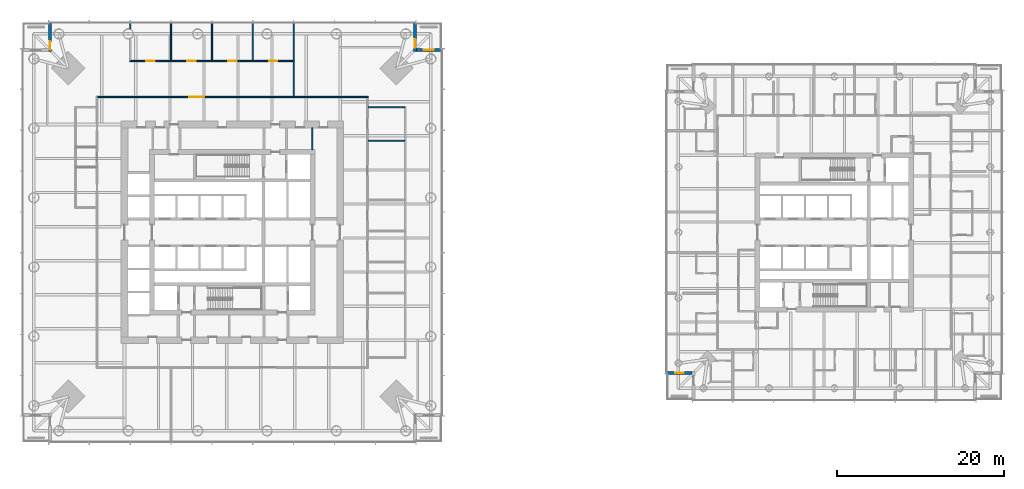
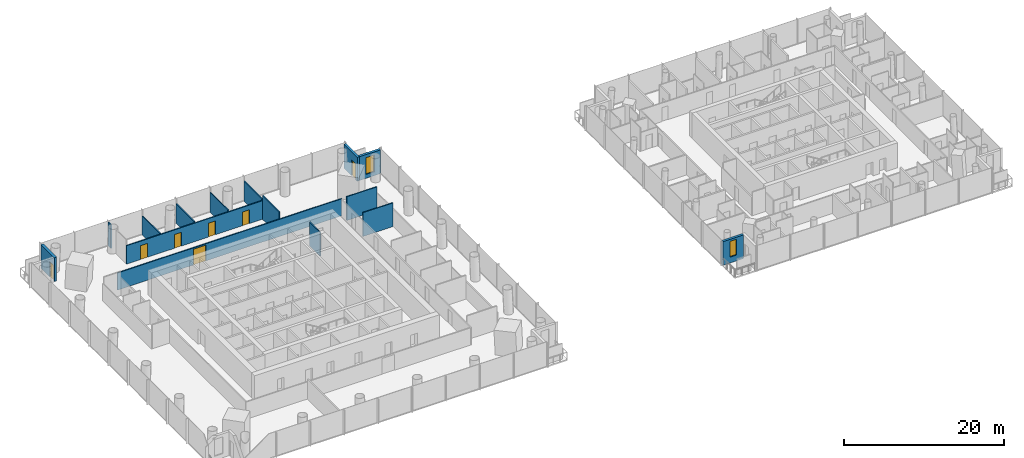
# One storey, part 12 of 20: 15 walls, 7 doors, 2 windows, 9 openings.
"""IFC4 building model written with IfcOpenShell, lengths in metres."""

from ifc_helpers import new_model, si_unit, direction, frame, frame_2d, origin, place, context, subcontext, project, spatial, rectangle, extrude, material, layer, layer_set, type_object, element, fill, save


model = new_model("IFC4")

# Units and contexts
model_context = context("Model", 3, precision=1e-05, world=origin(), true_north=direction((0.0, 1.0)))
body_context = subcontext(model_context, "Body", "Model", "MODEL_VIEW")
ifc_project = project(units=[si_unit("LENGTHUNIT", "METRE"), si_unit("AREAUNIT", "SQUARE_METRE"), si_unit("VOLUMEUNIT", "CUBIC_METRE"), si_unit("PLANEANGLEUNIT", "RADIAN"), si_unit("MASSUNIT", "GRAM", prefix="KILO")], contexts=[model_context])

# Site, building, storey
site_placement = place(None, origin())
site = spatial("IfcSite", under=ifc_project, at=site_placement, CompositionType="ELEMENT")
building_placement = place(site_placement, origin())
building = spatial("IfcBuilding", under=site, at=building_placement, Name="Ostroluk Exchange", CompositionType="ELEMENT")
storey_placement = place(building_placement, frame((0.0, 0.0, 28.60009765625)))
storey = spatial("IfcBuildingStorey", under=building, at=storey_placement, Name="L06", CompositionType="ELEMENT", Elevation=28.60009765625)

# Wall
ifc_material_1 = material(Name="Concrete blockwork", Category="masonry")
ifc_layer_1 = layer(ifc_material_1, 0.14990234375)
ifc_layer_set_1 = layer_set([ifc_layer_1], Name="Blockwork plant room wall 150")
wall_type_1 = type_object("IfcWallType", Name="Blockwork plant room wall 150", PredefinedType="SOLIDWALL", material=ifc_layer_set_1)
wall_1_placement = place(storey_placement, frame((54.550048828125, 55.89990234375, 0.0), z_axis=(0.0, 0.0, 1.0), x_axis=(0.0, 1.0, 0.0)))
element("IfcWall", 1, at=wall_1_placement, inside=storey, type_object=wall_type_1, Name="Core room wall", PredefinedType="SOLIDWALL", context=body_context, shape_type="SweptSolid", body=[
    extrude(rectangle(XDim=2.60009765625, YDim=0.14990234375, at=frame_2d((1.300048828125, 0.0))), origin(), (0.0, 0.0, 1.0), 3.619873046875),
])

# Wall, opening, door
ifc_material_2 = material(Name="Limestone", Category="masonry")
ifc_layer_2 = layer(ifc_material_2, 0.35009765625)
ifc_layer_set_2 = layer_set([ifc_layer_2], Name="Limestone facade wall 350")
wall_type_2 = type_object("IfcWallType", Name="Limestone facade wall 350", PredefinedType="SOLIDWALL", material=ifc_layer_set_2)
wall_2_placement = place(storey_placement, frame((66.824951171875, 71.0, 0.0), z_axis=(0.0, 0.0, 1.0), x_axis=(0.0, -1.0, 0.0)))
wall_2 = element("IfcWall", 2, at=wall_2_placement, inside=storey, type_object=wall_type_2, Name="Office tower NE corner wall L06 a", PredefinedType="SOLIDWALL", context=body_context, shape_type="SweptSolid", body=[
    extrude(rectangle(XDim=3.35009765625, YDim=0.35009765625, at=frame_2d((1.675048828125, 0.0))), origin(), (0.0, 0.0, 1.0), 3.619873046875),
])
opening_1_placement = place(wall_2_placement, frame((1.89990234375, 0.0, 0.0)))
opening_1 = element("IfcOpeningElement", 3, at=opening_1_placement, cuts=wall_2, Name="Opening D-B1", PredefinedType="OPENING", context=body_context, shape_type="SweptSolid", body=[
    extrude(rectangle(XDim=1.0, YDim=2.39990234375, at=frame_2d((0.5, 1.199951171875))), frame((0.0, 0.18505859375, 0.0), z_axis=(0.0, -1.0, 0.0), x_axis=(1.0, 0.0, 0.0)), (0.0, 0.0, 1.0), 0.3701171875),
])
ifc_material_3 = material(Name="Bronze framed glazed door", Category="aluminium")
door_type_1 = type_object("IfcDoorType", Name="Balcony door 1000 x 2400", OperationType="SINGLE_SWING_LEFT", PredefinedType="DOOR", material=ifc_material_3)
door_1_placement = place(opening_1_placement, origin())
door_1 = element("IfcDoor", 4, at=door_1_placement, inside=storey, type_object=door_type_1, Name="Office tower NE balcony door L06", OperationType="SINGLE_SWING_RIGHT", OverallHeight=2.39990234375, OverallWidth=1.0, PredefinedType="DOOR", context=body_context, shape_type="SweptSolid", body=[
    extrude(rectangle(XDim=1.0, YDim=2.39990234375, at=frame_2d((0.5, 1.199951171875))), frame((0.0, 0.02490234375, 0.0), z_axis=(0.0, -1.0, 0.0), x_axis=(1.0, 0.0, 0.0)), (0.0, 0.0, 1.0), 0.050048828125),
])
fill(opening_1, door_1)

# Wall, opening, window
wall_3_placement = place(storey_placement, frame((67.0, 67.824951171875, 0.0), z_axis=(0.0, 0.0, 1.0), x_axis=(1.0, 0.0, 0.0)))
wall_3 = element("IfcWall", 5, at=wall_3_placement, inside=storey, type_object=wall_type_2, Name="Office tower NE corner wall L06 b", PredefinedType="SOLIDWALL", context=body_context, shape_type="SweptSolid", body=[
    extrude(rectangle(XDim=3.0, YDim=0.35009765625, at=frame_2d((1.5, 0.0))), origin(), (0.0, 0.0, 1.0), 3.619873046875),
])
opening_2_placement = place(wall_3_placement, frame((0.89990234375, 0.0, 0.60009765625)))
opening_2 = element("IfcOpeningElement", 6, at=opening_2_placement, cuts=wall_3, Name="Opening WN-L1", PredefinedType="OPENING", context=body_context, shape_type="SweptSolid", body=[
    extrude(rectangle(XDim=1.199951171875, YDim=2.550048828125, at=frame_2d((0.60009765625, 1.27490234375))), frame((0.0, 0.18505859375, 0.0), z_axis=(0.0, -1.0, 0.0), x_axis=(1.0, 0.0, 0.0)), (0.0, 0.0, 1.0), 0.3701171875),
])
ifc_material_4 = material(Name="Laminated clear glass", Category="glass")
window_type_1 = type_object("IfcWindowType", Name="Lancet window 1200 x 2550", PartitioningType="SINGLE_PANEL", PredefinedType="WINDOW", material=ifc_material_4)
window_1_placement = place(opening_2_placement, origin())
window_1 = element("IfcWindow", 7, at=window_1_placement, inside=storey, type_object=window_type_1, Name="Office tower NE lancet window L06", OverallHeight=2.550048828125, OverallWidth=1.199951171875, PartitioningType="SINGLE_PANEL", PredefinedType="WINDOW", context=body_context, shape_type="SweptSolid", body=[
    extrude(rectangle(XDim=1.199951171875, YDim=2.550048828125, at=frame_2d((0.60009765625, 1.27490234375))), frame((0.0, 0.030029296875, 0.0), z_axis=(0.0, -1.0, 0.0), x_axis=(1.0, 0.0, 0.0)), (0.0, 0.0, 1.0), 0.06005859375),
])
fill(opening_2, window_1)

# Wall, opening, door
wall_4_placement = place(storey_placement, frame((23.175048828125, 71.0, 0.0), z_axis=(0.0, 0.0, 1.0), x_axis=(0.0, -1.0, 0.0)))
wall_4 = element("IfcWall", 8, at=wall_4_placement, inside=storey, type_object=wall_type_2, Name="Office tower NW corner wall L06 a", PredefinedType="SOLIDWALL", context=body_context, shape_type="SweptSolid", body=[
    extrude(rectangle(XDim=3.35009765625, YDim=0.35009765625, at=frame_2d((1.675048828125, 0.0))), origin(), (0.0, 0.0, 1.0), 3.619873046875),
])
opening_3_placement = place(wall_4_placement, frame((2.14990234375, 0.0, 0.0)))
opening_3 = element("IfcOpeningElement", 9, at=opening_3_placement, cuts=wall_4, Name="Opening D-B1", PredefinedType="OPENING", context=body_context, shape_type="SweptSolid", body=[
    extrude(rectangle(XDim=1.0, YDim=2.39990234375, at=frame_2d((0.5, 1.199951171875))), frame((0.0, 0.18505859375, 0.0), z_axis=(0.0, -1.0, 0.0), x_axis=(1.0, 0.0, 0.0)), (0.0, 0.0, 1.0), 0.3701171875),
])
door_2_placement = place(opening_3_placement, origin())
door_2 = element("IfcDoor", 10, at=door_2_placement, inside=storey, type_object=door_type_1, Name="Office tower NW balcony door L06", OperationType="SINGLE_SWING_RIGHT", OverallHeight=2.39990234375, OverallWidth=1.0, PredefinedType="DOOR", context=body_context, shape_type="SweptSolid", body=[
    extrude(rectangle(XDim=1.0, YDim=2.39990234375, at=frame_2d((0.5, 1.199951171875))), frame((0.0, 0.02490234375, 0.0), z_axis=(0.0, -1.0, 0.0), x_axis=(1.0, 0.0, 0.0)), (0.0, 0.0, 1.0), 0.050048828125),
])
fill(opening_3, door_2)

# Wall, opening, window
wall_5_placement = place(storey_placement, frame((100.0, 29.175048828125, 0.0), z_axis=(0.0, 0.0, 1.0), x_axis=(-1.0, 0.0, 0.0)))
wall_5 = element("IfcWall", 11, at=wall_5_placement, inside=storey, type_object=wall_type_2, Name="Hotel tower SW corner wall L06 b", PredefinedType="SOLIDWALL", context=body_context, shape_type="SweptSolid", body=[
    extrude(rectangle(XDim=3.0, YDim=0.35009765625, at=frame_2d((1.5, 0.0))), origin(), (0.0, 0.0, 1.0), 3.599853515625),
])
opening_4_placement = place(wall_5_placement, frame((1.0, 0.0, 0.89990234375)))
opening_4 = element("IfcOpeningElement", 12, at=opening_4_placement, cuts=wall_5, Name="Opening WN-L3", PredefinedType="OPENING", context=body_context, shape_type="SweptSolid", body=[
    extrude(rectangle(XDim=1.0, YDim=2.39990234375, at=frame_2d((0.5, 1.199951171875))), frame((0.0, 0.18505859375, 0.0), z_axis=(0.0, -1.0, 0.0), x_axis=(1.0, 0.0, 0.0)), (0.0, 0.0, 1.0), 0.3701171875),
])
ifc_material_5 = material(Name="Laminated clear glass", Category="glass")
window_type_2 = type_object("IfcWindowType", Name="Hotel lancet window 1000 x 2400", PartitioningType="SINGLE_PANEL", PredefinedType="WINDOW", material=ifc_material_5)
window_2_placement = place(opening_4_placement, origin())
window_2 = element("IfcWindow", 13, at=window_2_placement, inside=storey, type_object=window_type_2, Name="Hotel tower SW lancet window L06", OverallHeight=2.39990234375, OverallWidth=1.0, PartitioningType="SINGLE_PANEL", PredefinedType="WINDOW", context=body_context, shape_type="SweptSolid", body=[
    extrude(rectangle(XDim=1.0, YDim=2.39990234375, at=frame_2d((0.5, 1.199951171875))), frame((0.0, 0.030029296875, 0.0), z_axis=(0.0, -1.0, 0.0), x_axis=(1.0, 0.0, 0.0)), (0.0, 0.0, 1.0), 0.06005859375),
])
fill(opening_4, window_2)

# Walls
ifc_material_6 = material(Name="Gypsum plasterboard partition", Category="gypsum")
ifc_layer_3 = layer(ifc_material_6, 0.14990234375)
ifc_layer_set_3 = layer_set([ifc_layer_3], Name="Plasterboard partition 150")
wall_type_3 = type_object("IfcWallType", Name="Plasterboard partition 150", PredefinedType="PARTITIONING", material=ifc_layer_set_3)
for number, where, z_axis, x_axis, name in (
    (14, (61.25, 56.961181640625, 0.0), (0.0, 0.0, 1.0), (1.0, 0.0, 0.0), "Partition"),
    (15, (61.25, 60.97509765625, 0.0), (0.0, 0.0, 1.0), (1.0, 0.0, 0.0), "Partition"),
):
    element("IfcWall", number, at=place(storey_placement, frame(where, z_axis=z_axis, x_axis=x_axis)), inside=storey, type_object=wall_type_3, Name=name, PredefinedType="PARTITIONING", context=body_context, shape_type="SweptSolid", body=[
        extrude(rectangle(XDim=4.35009765625, YDim=0.14990234375, at=frame_2d((2.175048828125, 0.0))), origin(), (0.0, 0.0, 1.0), 3.619873046875),
    ])

# Wall, openings, doors
wall_6_placement = place(storey_placement, frame((52.408447265625, 66.5, 0.0), z_axis=(0.0, 0.0, 1.0), x_axis=(-1.0, 0.0, 0.0)))
wall_6 = element("IfcWall", 16, at=wall_6_placement, inside=storey, type_object=wall_type_3, Name="Partition", PredefinedType="PARTITIONING", context=body_context, shape_type="SweptSolid", body=[
    extrude(rectangle(XDim=19.70556640625, YDim=0.14990234375, at=frame_2d((9.852783203125, 0.0))), origin(), (0.0, 0.0, 1.0), 2.805908203125),
])
opening_5_placement = place(wall_6_placement, frame((2.01953125, 0.0, 0.0)))
opening_5 = element("IfcOpeningElement", 17, at=opening_5_placement, cuts=wall_6, Name="Opening D-03", PredefinedType="OPENING", context=body_context, shape_type="SweptSolid", body=[
    extrude(rectangle(XDim=1.0, YDim=2.10009765625, at=frame_2d((0.5, 1.050048828125))), frame((0.0, 0.0849609375, 0.0), z_axis=(0.0, -1.0, 0.0), x_axis=(1.0, 0.0, 0.0)), (0.0, 0.0, 1.0), 0.169921875),
])
opening_6_placement = place(wall_6_placement, frame((6.908447265625, 0.0, 0.0)))
opening_6 = element("IfcOpeningElement", 18, at=opening_6_placement, cuts=wall_6, Name="Opening D-03", PredefinedType="OPENING", context=body_context, shape_type="SweptSolid", body=[
    extrude(rectangle(XDim=1.0, YDim=2.10009765625, at=frame_2d((0.5, 1.050048828125))), frame((0.0, 0.0849609375, 0.0), z_axis=(0.0, -1.0, 0.0), x_axis=(1.0, 0.0, 0.0)), (0.0, 0.0, 1.0), 0.169921875),
])
opening_7_placement = place(wall_6_placement, frame((11.797119140625, 0.0, 0.0)))
opening_7 = element("IfcOpeningElement", 19, at=opening_7_placement, cuts=wall_6, Name="Opening D-03", PredefinedType="OPENING", context=body_context, shape_type="SweptSolid", body=[
    extrude(rectangle(XDim=1.0, YDim=2.10009765625, at=frame_2d((0.5, 1.050048828125))), frame((0.0, 0.0849609375, 0.0), z_axis=(0.0, -1.0, 0.0), x_axis=(1.0, 0.0, 0.0)), (0.0, 0.0, 1.0), 0.169921875),
])
opening_8_placement = place(wall_6_placement, frame((16.68603515625, 0.0, 0.0)))
opening_8 = element("IfcOpeningElement", 20, at=opening_8_placement, cuts=wall_6, Name="Opening D-03", PredefinedType="OPENING", context=body_context, shape_type="SweptSolid", body=[
    extrude(rectangle(XDim=1.0, YDim=2.10009765625, at=frame_2d((0.5, 1.050048828125))), frame((0.0, 0.0849609375, 0.0), z_axis=(0.0, -1.0, 0.0), x_axis=(1.0, 0.0, 0.0)), (0.0, 0.0, 1.0), 0.169921875),
])
ifc_material_7 = material(Name="Timber", Category="wood")
door_type_2 = type_object("IfcDoorType", Name="Internal door 1000 x 2100", OperationType="SINGLE_SWING_LEFT", PredefinedType="DOOR", material=ifc_material_7)
door_3_placement = place(opening_5_placement, origin())
door_3 = element("IfcDoor", 21, at=door_3_placement, inside=storey, type_object=door_type_2, Name="Office door", OperationType="SINGLE_SWING_LEFT", OverallHeight=2.10009765625, OverallWidth=1.0, PredefinedType="DOOR", context=body_context, shape_type="SweptSolid", body=[
    extrude(rectangle(XDim=1.0, YDim=2.10009765625, at=frame_2d((0.5, 1.050048828125))), frame((0.0, 0.02490234375, 0.0), z_axis=(0.0, -1.0, 0.0), x_axis=(1.0, 0.0, 0.0)), (0.0, 0.0, 1.0), 0.050048828125),
])
fill(opening_5, door_3)
door_4_placement = place(opening_6_placement, origin())
door_4 = element("IfcDoor", 22, at=door_4_placement, inside=storey, type_object=door_type_2, Name="Office door", OperationType="SINGLE_SWING_LEFT", OverallHeight=2.10009765625, OverallWidth=1.0, PredefinedType="DOOR", context=body_context, shape_type="SweptSolid", body=[
    extrude(rectangle(XDim=1.0, YDim=2.10009765625, at=frame_2d((0.5, 1.050048828125))), frame((0.0, 0.02490234375, 0.0), z_axis=(0.0, -1.0, 0.0), x_axis=(1.0, 0.0, 0.0)), (0.0, 0.0, 1.0), 0.050048828125),
])
fill(opening_6, door_4)
door_5_placement = place(opening_7_placement, origin())
door_5 = element("IfcDoor", 23, at=door_5_placement, inside=storey, type_object=door_type_2, Name="Office door", OperationType="SINGLE_SWING_RIGHT", OverallHeight=2.10009765625, OverallWidth=1.0, PredefinedType="DOOR", context=body_context, shape_type="SweptSolid", body=[
    extrude(rectangle(XDim=1.0, YDim=2.10009765625, at=frame_2d((0.5, 1.050048828125))), frame((0.0, 0.02490234375, 0.0), z_axis=(0.0, -1.0, 0.0), x_axis=(1.0, 0.0, 0.0)), (0.0, 0.0, 1.0), 0.050048828125),
])
fill(opening_7, door_5)
door_6_placement = place(opening_8_placement, origin())
door_6 = element("IfcDoor", 24, at=door_6_placement, inside=storey, type_object=door_type_2, Name="Office door", OperationType="SINGLE_SWING_RIGHT", OverallHeight=2.10009765625, OverallWidth=1.0, PredefinedType="DOOR", context=body_context, shape_type="SweptSolid", body=[
    extrude(rectangle(XDim=1.0, YDim=2.10009765625, at=frame_2d((0.5, 1.050048828125))), frame((0.0, 0.02490234375, 0.0), z_axis=(0.0, -1.0, 0.0), x_axis=(1.0, 0.0, 0.0)), (0.0, 0.0, 1.0), 0.050048828125),
])
fill(opening_8, door_6)

# Walls
for number, where, z_axis, x_axis, name in (
    (25, (52.333251953125, 66.574951171875, 0.0), (0.0, 0.0, 1.0), (0.0, 1.0, 0.0), "Partition"),
    (26, (47.4443359375, 66.574951171875, 0.0), (0.0, 0.0, 1.0), (0.0, 1.0, 0.0), "Partition"),
    (27, (42.5556640625, 66.574951171875, 0.0), (0.0, 0.0, 1.0), (0.0, 1.0, 0.0), "Partition"),
):
    element("IfcWall", number, at=place(storey_placement, frame(where, z_axis=z_axis, x_axis=x_axis)), inside=storey, type_object=wall_type_3, Name=name, PredefinedType="PARTITIONING", context=body_context, shape_type="SweptSolid", body=[
        extrude(rectangle(XDim=4.465087890625, YDim=0.14990234375, at=frame_2d((2.232421875, 0.0))), origin(), (0.0, 0.0, 1.0), 3.02001953125),
    ])
wall_7_placement = place(storey_placement, frame((37.666748046875, 66.574951171875, 0.0), z_axis=(0.0, 0.0, 1.0), x_axis=(0.0, 1.0, 0.0)))
element("IfcWall", 28, at=wall_7_placement, inside=storey, type_object=wall_type_3, Name="Partition", PredefinedType="PARTITIONING", context=body_context, shape_type="SweptSolid", body=[
    extrude(rectangle(XDim=4.465087890625, YDim=0.14990234375, at=frame_2d((2.232421875, 0.0))), origin(), (0.0, 0.0, 1.0), 2.849853515625),
])
wall_8_placement = place(storey_placement, frame((32.77783203125, 70.36669921875, 0.0), z_axis=(0.0, 0.0, 1.0), x_axis=(0.0, 1.0, 0.0)))
element("IfcWall", 29, at=wall_8_placement, inside=storey, type_object=wall_type_3, Name="Partition", PredefinedType="PARTITIONING", context=body_context, shape_type="SweptSolid", body=[
    extrude(rectangle(XDim=0.67333984375, YDim=0.14990234375, at=frame_2d((0.336669921875, 0.0))), origin(), (0.0, 0.0, 1.0), 3.619873046875),
])
wall_9_placement = place(storey_placement, frame((52.333251953125, 62.25, 0.0), z_axis=(0.0, 0.0, 1.0), x_axis=(0.0, 1.0, 0.0)))
element("IfcWall", 30, at=wall_9_placement, inside=storey, type_object=wall_type_3, Name="Tenancy partition", PredefinedType="PARTITIONING", context=body_context, shape_type="SweptSolid", body=[
    extrude(rectangle(XDim=4.175048828125, YDim=0.14990234375, at=frame_2d((2.08740234375, 0.0))), origin(), (0.0, 0.0, 1.0), 3.619873046875),
])

# Wall, opening, door
wall_10_placement = place(storey_placement, frame((61.25, 62.175048828125, 0.0), z_axis=(0.0, 0.0, 1.0), x_axis=(-1.0, 0.0, 0.0)))
wall_10 = element("IfcWall", 31, at=wall_10_placement, inside=storey, type_object=wall_type_3, Name="Corridor wall", PredefinedType="PARTITIONING", context=body_context, shape_type="SweptSolid", body=[
    extrude(rectangle(XDim=32.35009765625, YDim=0.14990234375, at=frame_2d((16.175048828125, 0.0))), origin(), (0.0, 0.0, 1.0), 2.61181640625),
])
opening_9_placement = place(wall_10_placement, frame((19.6083984375, 0.0, 0.0)))
opening_9 = element("IfcOpeningElement", 32, at=opening_9_placement, cuts=wall_10, Name="Opening D-04", PredefinedType="OPENING", context=body_context, shape_type="SweptSolid", body=[
    extrude(rectangle(XDim=1.800048828125, YDim=2.39990234375, at=frame_2d((0.89990234375, 1.199951171875))), frame((0.0, 0.0849609375, 0.0), z_axis=(0.0, -1.0, 0.0), x_axis=(1.0, 0.0, 0.0)), (0.0, 0.0, 1.0), 0.169921875),
])
ifc_material_8 = material(Name="Timber", Category="wood")
door_type_3 = type_object("IfcDoorType", Name="Double door 1800 x 2400", OperationType="DOUBLE_DOOR_SINGLE_SWING", PredefinedType="DOOR", material=ifc_material_8)
door_7_placement = place(opening_9_placement, origin())
door_7 = element("IfcDoor", 33, at=door_7_placement, inside=storey, type_object=door_type_3, Name="Open plan office door", OperationType="DOUBLE_DOOR_SINGLE_SWING", OverallHeight=2.39990234375, OverallWidth=1.800048828125, PredefinedType="DOOR", context=body_context, shape_type="SweptSolid", body=[
    extrude(rectangle(XDim=1.800048828125, YDim=2.39990234375, at=frame_2d((0.89990234375, 1.199951171875))), frame((0.0, 0.02490234375, 0.0), z_axis=(0.0, -1.0, 0.0), x_axis=(1.0, 0.0, 0.0)), (0.0, 0.0, 1.0), 0.050048828125),
])
fill(opening_9, door_7)

save(model, "model.ifc")
